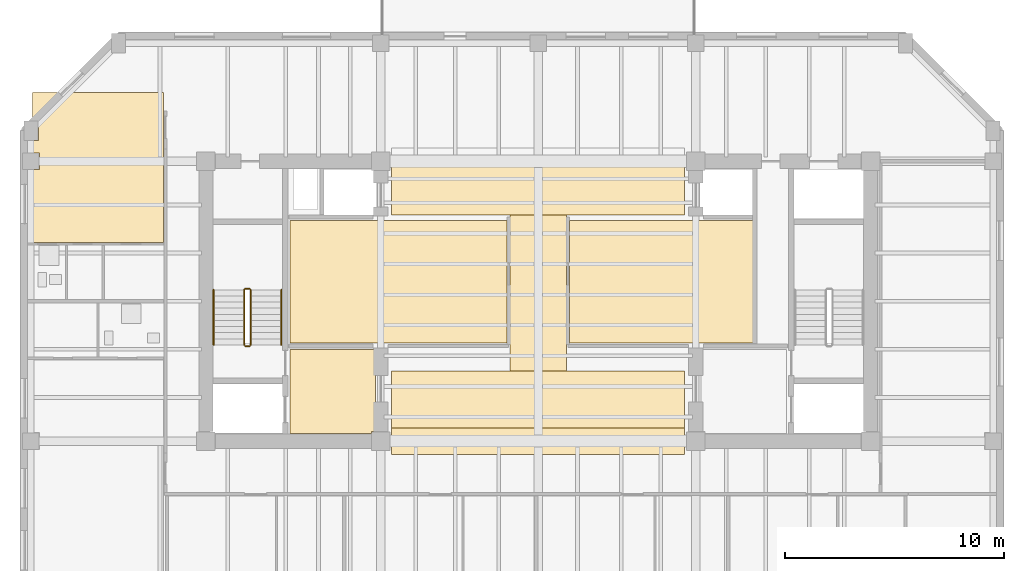
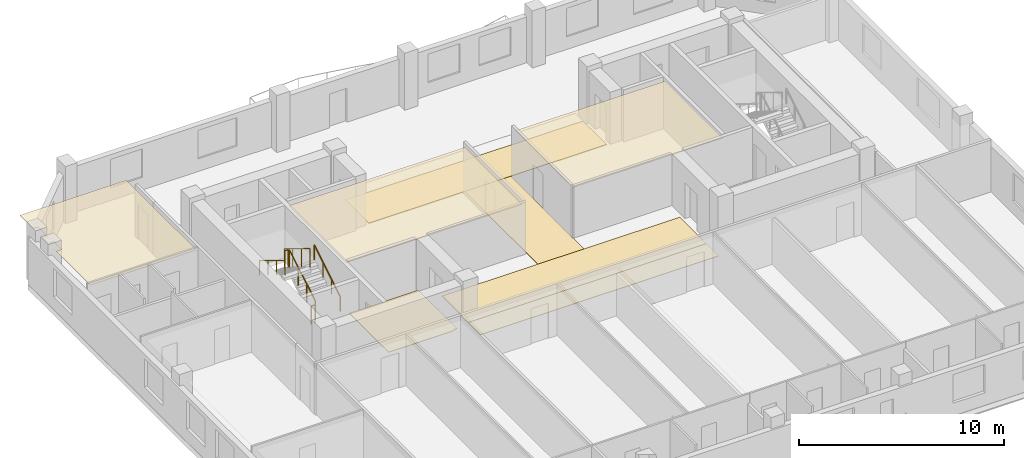
# One storey, part 8 of 11: 8 coverings, 6 railings.
"""IFC4 building model written with IfcOpenShell, lengths in metres."""

import ifcopenshell
import ifcopenshell.guid

model = None  # the IFC model being written
_history = None  # IfcOwnerHistory: only IFC2X3 demands one
_inside = {}  # id of a spatial element -> (the spatial element, [elements in it])
_under = {}  # id of a project, library or spatial element -> (it, [spatial elements below it])
_declared = {}  # id of a project -> (the project, [libraries it declares])
_typed = {}  # id of a type object -> (the type object, [elements of that type])
_made_of = {}  # id of a material, layer set ... -> (it, [elements and type objects made of it])


def new_model(schema):
    """Start an empty IFC model of exactly this schema.

    Asked for "IFC4X3", IfcOpenShell would pick the latest addendum, in which some entities
    have other attributes; the version numbers below select the first issue.
    IFC2X3 requires an IfcOwnerHistory on every rooted entity: one is made here for all.
    """
    global model, _history
    if schema == "IFC4X3":
        model = ifcopenshell.file(schema_version=(4, 3, 0, 0))
    else:
        model = ifcopenshell.file(schema=schema)
    _inside.clear()
    _under.clear()
    _declared.clear()
    _typed.clear()
    _made_of.clear()
    _history = None
    if model.schema == "IFC2X3":
        org = make("IfcOrganization", Name="unknown")
        user = make(
            "IfcPersonAndOrganization",
            ThePerson=make("IfcPerson", FamilyName="unknown"),
            TheOrganization=org,
        )
        app = make(
            "IfcApplication",
            ApplicationDeveloper=org,
            Version="unknown",
            ApplicationFullName="unknown",
            ApplicationIdentifier="unknown",
        )
        _history = make(
            "IfcOwnerHistory",
            OwningUser=user,
            OwningApplication=app,
            ChangeAction="ADDED",
            CreationDate=0,
        )
    return model


def make(cls, **values):
    """One entity of the class cls with the attributes given. An attribute that is None is left unset."""
    return model.create_entity(
        cls, **{name: value for name, value in values.items() if value is not None}
    )


def rooted(cls, **values):
    """An entity with a GlobalId (a new one), such as an element, a storey or a relation."""
    return make(cls, GlobalId=ifcopenshell.guid.new(), OwnerHistory=_history, **values)


def si_unit(unit_type, name, prefix=None):
    """IfcSIUnit, for example si_unit("LENGTHUNIT", "METRE", prefix="MILLI")."""
    return make("IfcSIUnit", UnitType=unit_type, Prefix=prefix, Name=name)


def assignment(units):
    """IfcUnitAssignment: the units of a project."""
    return None if units is None else make("IfcUnitAssignment", Units=units)


def point(xyz):
    """IfcCartesianPoint."""
    return None if xyz is None else make("IfcCartesianPoint", Coordinates=xyz)


def direction(xyz):
    """IfcDirection."""
    return None if xyz is None else make("IfcDirection", DirectionRatios=xyz)


def frame(location, z_axis=None, x_axis=None):
    """IfcAxis2Placement3D, a coordinate frame: its origin and axes. An axis left out is left unset."""
    return make(
        "IfcAxis2Placement3D",
        Location=point(location),
        Axis=direction(z_axis),
        RefDirection=direction(x_axis),
    )


def frame_2d(location, x_axis=None):
    """IfcAxis2Placement2D, a coordinate frame in the plane: its origin and x axis."""
    return make(
        "IfcAxis2Placement2D", Location=point(location), RefDirection=direction(x_axis)
    )


def origin():
    """The frame at (0, 0, 0) with its axes left unset."""
    return frame((0.0, 0.0, 0.0))


def origin_2d():
    """The frame at (0, 0) in the plane with its x axis left unset."""
    return frame_2d((0.0, 0.0))


def place(relative_to, where):
    """IfcLocalPlacement: puts the frame where relative to a parent placement (None: the world)."""
    return make(
        "IfcLocalPlacement", PlacementRelTo=relative_to, RelativePlacement=where
    )


def context(
    kind, dimensions, precision=None, world=None, true_north=None, identifier=None
):
    """IfcGeometricRepresentationContext, for example the 3D "Model" context."""
    return make(
        "IfcGeometricRepresentationContext",
        ContextIdentifier=identifier,
        ContextType=kind,
        CoordinateSpaceDimension=dimensions,
        Precision=precision,
        WorldCoordinateSystem=world,
        TrueNorth=true_north,
    )


def subcontext(parent, identifier, kind, view, scale=None):
    """IfcGeometricRepresentationSubContext, for example "Body" below "Model"."""
    return make(
        "IfcGeometricRepresentationSubContext",
        ContextIdentifier=identifier,
        ContextType=kind,
        ParentContext=parent,
        TargetScale=scale,
        TargetView=view,
    )


def project(units=None, contexts=None):
    """IfcProject with its units and contexts."""
    return rooted(
        "IfcProject",
        Name="project",
        RepresentationContexts=contexts,
        UnitsInContext=assignment(units),
    )


def spatial(cls, under=None, at=None, **own):
    """A site, building, storey or space (cls), placed at a placement, below another one or the project."""
    s = rooted(cls, ObjectPlacement=at, **own)
    if under is not None:
        _under.setdefault(under.id(), (under, []))[1].append(s)
    return s


def polyline(points):
    """IfcPolyline through the points."""
    return make("IfcPolyline", Points=[point(p) for p in points])


def profile(cls, at=None, kind="AREA", **sizes):
    """A parametric profile (cls). Its sizes go by their IFC names, for example OverallWidth=200.0."""
    return make(cls, ProfileType=kind, Position=at, **sizes)


def circle(**sizes):
    """IfcCircleProfileDef."""
    return profile("IfcCircleProfileDef", **sizes)


def outline(outer, holes=None, kind="AREA"):
    """IfcArbitraryClosedProfileDef: a profile drawn as a closed curve; with holes, ...WithVoids."""
    if holes is None:
        return make("IfcArbitraryClosedProfileDef", ProfileType=kind, OuterCurve=outer)
    return make(
        "IfcArbitraryProfileDefWithVoids",
        ProfileType=kind,
        OuterCurve=outer,
        InnerCurves=holes,
    )


def extrude(swept, where, along, depth):
    """IfcExtrudedAreaSolid: the profile swept, set in the frame where, extruded along a direction by depth."""
    return make(
        "IfcExtrudedAreaSolid",
        SweptArea=swept,
        Position=where,
        ExtrudedDirection=direction(along),
        Depth=depth,
    )


def shape(context_of_items, identifier, shape_type, items):
    """IfcShapeRepresentation: the items that make up one representation, for example the "Body"."""
    return make(
        "IfcShapeRepresentation",
        ContextOfItems=context_of_items,
        RepresentationIdentifier=identifier,
        RepresentationType=shape_type,
        Items=items,
    )


def material(Name=None, Category=None):
    """IfcMaterial."""
    return make("IfcMaterial", Name=Name, Category=Category)


def layer(
    of_material, thickness, ventilated=None, Name=None, Category=None, Priority=None
):
    """IfcMaterialLayer: one layer of a wall or slab, of a material (None: an air gap)."""
    return make(
        "IfcMaterialLayer",
        Material=of_material,
        LayerThickness=thickness,
        IsVentilated=ventilated,
        Name=Name,
        Category=Category,
        Priority=Priority,
    )


def layer_set(layers, Name=None):
    """IfcMaterialLayerSet."""
    return make("IfcMaterialLayerSet", MaterialLayers=layers, LayerSetName=Name)


def made_of(thing, what):
    """Note that an element or type object is made of a material, layer set ...; save() writes the relation."""
    if what is not None:
        _made_of.setdefault(what.id(), (what, []))[1].append(thing)
    return thing


def type_object(cls, material=None, **own):
    """A type object (cls), such as IfcWallType, which elements share."""
    return made_of(rooted(cls, **own), material)


def element(
    cls,
    number,
    at=None,
    inside=None,
    cuts=None,
    type_object=None,
    material=None,
    context=None,
    identifier="Body",
    shape_type=None,
    held_by="IfcProductDefinitionShape",
    body=None,
    shapes=None,
    **own,
):
    """One element of the class cls, such as IfcWall. Its Tag is "e" and its number.

    at: its placement. inside: the storey or other place that contains it. cuts: it is an
    opening in that element (IfcRelVoidsElement). A single representation is given by context,
    identifier, shape_type and body (its items); several are given by shapes. held_by: the class
    of the entity that holds the representations. save() writes the other relations.
    """
    e = rooted(cls, Tag="e%d" % number, ObjectPlacement=at, **own)
    if body is not None:
        shapes = [shape(context, identifier, shape_type, body)]
    if shapes is not None:
        e.Representation = make(held_by, Representations=shapes)
    if inside is not None:
        _inside.setdefault(inside.id(), (inside, []))[1].append(e)
    if cuts is not None:
        rooted(
            "IfcRelVoidsElement", RelatingBuildingElement=cuts, RelatedOpeningElement=e
        )
    if type_object is not None:
        _typed.setdefault(type_object.id(), (type_object, []))[1].append(e)
    return made_of(e, material)


def aggregate(whole, parts):
    """IfcRelAggregates: a whole, such as a stair, and the parts it consists of."""
    return rooted("IfcRelAggregates", RelatingObject=whole, RelatedObjects=parts)


def save(model, path):
    """Write the relations noted so far, then the file.

    IfcRelAggregates (storeys below a building ...), IfcRelContainedInSpatialStructure (elements
    in a storey), IfcRelDefinesByType, IfcRelAssociatesMaterial and IfcRelDeclares: one each for
    every whole, place, type object, material and project.
    """
    for whole, parts in _under.values():
        aggregate(whole, parts)
    for where, things in _inside.values():
        rooted(
            "IfcRelContainedInSpatialStructure",
            RelatedElements=things,
            RelatingStructure=where,
        )
    for kind, things in _typed.values():
        rooted("IfcRelDefinesByType", RelatedObjects=things, RelatingType=kind)
    for what, things in _made_of.values():
        rooted("IfcRelAssociatesMaterial", RelatedObjects=things, RelatingMaterial=what)
    for by, libraries in _declared.values():
        rooted("IfcRelDeclares", RelatingContext=by, RelatedDefinitions=libraries)
    model.write(path)


model = new_model("IFC4")

# Units and contexts
model_context = context("Model", 3, precision=1e-05, world=origin(), true_north=direction((0.0, 1.0)))
body_context = subcontext(model_context, "Body", "Model", "MODEL_VIEW")
ifc_project = project(units=[si_unit("LENGTHUNIT", "METRE"), si_unit("AREAUNIT", "SQUARE_METRE"), si_unit("VOLUMEUNIT", "CUBIC_METRE"), si_unit("PLANEANGLEUNIT", "RADIAN"), si_unit("MASSUNIT", "GRAM", prefix="KILO")], contexts=[model_context])

# Site, building, storey
site_placement = place(None, origin())
site = spatial("IfcSite", under=ifc_project, at=site_placement, CompositionType="ELEMENT")
building_placement = place(site_placement, origin())
building = spatial("IfcBuilding", under=site, at=building_placement, Name="Kranthara Brick Stack", CompositionType="ELEMENT")
storey_placement = place(building_placement, frame((0.0, 0.0, 217.699951171875)))
storey = spatial("IfcBuildingStorey", under=building, at=storey_placement, Name="L56", CompositionType="ELEMENT", Elevation=217.699951171875)

# Coverings
ifc_material_1 = material(Name="Perforated mineral-fibre acoustic ceiling tile", Category="other")
ifc_layer_1 = layer(ifc_material_1, 0.02490234375)
ifc_layer_set_1 = layer_set([ifc_layer_1], Name="Perforated mineral-fibre acoustic ceiling tile")
covering_type_1 = type_object("IfcCoveringType", Name="COV-CEIL-ACOUSTIC", PredefinedType="CEILING", material=ifc_layer_set_1)
covering_1_placement = place(storey_placement, frame((0.0, 0.0, 2.830078125)))
element("IfcCovering", 1, at=covering_1_placement, inside=storey, type_object=covering_type_1, Name="L56 L56 Sky Club Library and Study Acoustic Ceiling", PredefinedType="CEILING", context=body_context, shape_type="SweptSolid", body=[
    extrude(outline(polyline([(26.570068359375, 25.300048828125), (26.570068359375, 30.89990234375), (16.64990234375, 30.89990234375), (16.64990234375, 25.300048828125), (26.570068359375, 25.300048828125)])), origin(), (0.0, 0.0, 1.0), 0.02490234375),
])
covering_2_placement = place(storey_placement, frame((0.0, 0.0, 2.830078125)))
element("IfcCovering", 2, at=covering_2_placement, inside=storey, type_object=covering_type_1, Name="L56 L56 Sky Club Lounge and Salon Acoustic Ceiling", PredefinedType="CEILING", context=body_context, shape_type="SweptSolid", body=[
    extrude(outline(polyline([(37.8798828125, 25.300048828125), (37.8798828125, 30.89990234375), (29.429931640625, 30.89990234375), (29.429931640625, 25.300048828125), (37.8798828125, 25.300048828125)])), origin(), (0.0, 0.0, 1.0), 0.02490234375),
])
covering_3_placement = place(storey_placement, frame((0.0, 0.0, 2.830078125)))
element("IfcCovering", 3, at=covering_3_placement, inside=storey, type_object=covering_type_1, Name="L56 Unit L56F 1-Bed Apartment Living Dining Acoustic Ceiling", PredefinedType="CEILING", context=body_context, shape_type="SweptSolid", body=[
    extrude(outline(polyline([(10.860107421875, 36.75), (10.860107421875, 29.889892578125), (4.8701171875, 29.889892578125), (4.8701171875, 33.215087890625), (5.18505859375, 33.215087890625), (5.18505859375, 33.985107421875), (4.8701171875, 33.985107421875), (4.8701171875, 34.5400390625), (5.135009765625, 34.5400390625), (5.135009765625, 35.4599609375), (4.8701171875, 35.4599609375), (4.8701171875, 36.75), (10.860107421875, 36.75)])), origin(), (0.0, 0.0, 1.0), 0.02490234375),
])
ifc_material_2 = material(Name="Honed terrazzo and porcelain floor finish", Category="stone")
ifc_layer_2 = layer(ifc_material_2, 0.030029296875)
ifc_layer_set_2 = layer_set([ifc_layer_2], Name="Honed terrazzo and porcelain floor finish")
covering_type_2 = type_object("IfcCoveringType", Name="COV-FLOR-STONE", PredefinedType="FLOORING", material=ifc_layer_set_2)
covering_4_placement = place(storey_placement, origin())
element("IfcCovering", 4, at=covering_4_placement, inside=storey, type_object=covering_type_2, Name="L56 Lift Lobby Stone Flooring", PredefinedType="FLOORING", context=body_context, shape_type="SweptSolid", body=[
    extrude(outline(polyline([(16.64990234375, 21.14990234375), (16.64990234375, 25.0), (20.550048828125, 25.0), (20.550048828125, 21.235107421875), (20.364990234375, 21.235107421875), (20.364990234375, 21.14990234375), (16.64990234375, 21.14990234375)])), origin(), (0.0, 0.0, 1.0), 0.030029296875),
])
covering_5_placement = place(storey_placement, origin())
element("IfcCovering", 5, at=covering_5_placement, inside=storey, type_object=covering_type_2, Name="L56 Lift Lobby Stone Flooring", PredefinedType="FLOORING", context=body_context, shape_type="SweptSolid", body=[
    extrude(outline(polyline([(34.699951171875, 21.39990234375), (34.699951171875, 24.0), (21.300048828125, 24.0), (21.300048828125, 21.39990234375), (34.699951171875, 21.39990234375)])), origin(), (0.0, 0.0, 1.0), 0.030029296875),
])
covering_6_placement = place(storey_placement, origin())
element("IfcCovering", 6, at=covering_6_placement, inside=storey, type_object=covering_type_2, Name="L56 Lift Lobby Stone Flooring", PredefinedType="FLOORING", context=body_context, shape_type="SweptSolid", body=[
    extrude(outline(polyline([(34.699951171875, 31.14990234375), (34.699951171875, 33.449951171875), (21.300048828125, 33.449951171875), (21.300048828125, 31.14990234375), (34.699951171875, 31.14990234375)])), origin(), (0.0, 0.0, 1.0), 0.030029296875),
])
covering_7_placement = place(storey_placement, origin())
element("IfcCovering", 7, at=covering_7_placement, inside=storey, type_object=covering_type_2, Name="L56 Lift Lobby Stone Flooring", PredefinedType="FLOORING", context=body_context, shape_type="SweptSolid", body=[
    extrude(outline(polyline([(29.300048828125, 24.0), (26.699951171875, 24.0), (26.699951171875, 31.14990234375), (29.300048828125, 31.14990234375), (29.300048828125, 24.0)])), origin(), (0.0, 0.0, 1.0), 0.030029296875),
])
covering_8_placement = place(storey_placement, origin())
element("IfcCovering", 8, at=covering_8_placement, inside=storey, type_object=covering_type_2, Name="L56 Lift Lobby Stone Flooring", PredefinedType="FLOORING", context=body_context, shape_type="SweptSolid", body=[
    extrude(outline(polyline([(34.699951171875, 20.199951171875), (21.300048828125, 20.199951171875), (21.300048828125, 21.39990234375), (34.699951171875, 21.39990234375), (34.699951171875, 20.199951171875)])), origin(), (0.0, 0.0, 1.0), 0.030029296875),
])

# Railings
ifc_material_3 = material(Name="Painted galvanized steel stair guardrail", Category="steel")
railing_type_1 = type_object("IfcRailingType", Name="RL-STAIR-GUARD-1100", PredefinedType="GUARDRAIL", material=ifc_material_3)
railing_1_placement = place(storey_placement, frame((14.85009765625, 25.199951171875, 0.170166015625)))
element("IfcRailing", 9, at=railing_1_placement, inside=storey, type_object=railing_type_1, Name="L56 ST01 stair guard 1", PredefinedType="GUARDRAIL", context=body_context, shape_type="SweptSolid", body=[
    extrude(circle(Radius=0.02392578125, at=origin_2d()), frame((0.0, 0.0, 1.076171875), z_axis=(0.0, 0.854821627497, 0.518921945155), x_axis=(-1.0, 0.0, 0.0)), (0.0, 0.0, 1.0), 2.947998046875),
    extrude(circle(Radius=0.02099609375, at=origin_2d()), origin(), (0.0, 0.0, 1.0), 1.052001953125),
    extrude(circle(Radius=0.02099609375, at=origin_2d()), frame((0.0, 0.840087890625, 0.510009765625)), (0.0, 0.0, 1.0), 1.052001953125),
    extrude(circle(Radius=0.02099609375, at=origin_2d()), frame((0.0, 1.679931640625, 1.019775390625)), (0.0, 0.0, 1.0), 1.052001953125),
    extrude(circle(Radius=0.02099609375, at=origin_2d()), frame((0.0, 2.52001953125, 1.52978515625)), (0.0, 0.0, 1.0), 1.052001953125),
])
railing_2_placement = place(storey_placement, frame((14.800048828125, 27.77001953125, 1.699951171875)))
element("IfcRailing", 10, at=railing_2_placement, inside=storey, type_object=railing_type_1, Name="L56 ST01 stair guard 2", PredefinedType="GUARDRAIL", context=body_context, shape_type="SweptSolid", body=[
    extrude(circle(Radius=0.02392578125, at=origin_2d()), frame((0.0, 0.0, 1.076171875), z_axis=(-1.0, 0.0, 0.0), x_axis=(0.0, -1.0, 0.0)), (0.0, 0.0, 1.0), 0.199951171875),
    extrude(circle(Radius=0.02099609375, at=origin_2d()), origin(), (0.0, 0.0, 1.0), 1.052001953125),
    extrude(circle(Radius=0.02099609375, at=origin_2d()), frame((-0.199951171875, 0.0, 0.0)), (0.0, 0.0, 1.0), 1.052001953125),
])
railing_3_placement = place(storey_placement, frame((14.550048828125, 27.719970703125, 1.8701171875)))
element("IfcRailing", 11, at=railing_3_placement, inside=storey, type_object=railing_type_1, Name="L56 ST01 stair guard 3", PredefinedType="GUARDRAIL", context=body_context, shape_type="SweptSolid", body=[
    extrude(circle(Radius=0.02392578125, at=origin_2d()), frame((0.0, 0.0, 1.076171875), z_axis=(0.0, -0.85478489116, 0.518982456201), x_axis=(1.0, 0.0, 0.0)), (0.0, 0.0, 1.0), 2.9482421875),
    extrude(circle(Radius=0.02099609375, at=origin_2d()), origin(), (0.0, 0.0, 1.0), 1.052001953125),
    extrude(circle(Radius=0.02099609375, at=origin_2d()), frame((0.0, -0.840087890625, 0.510009765625)), (0.0, 0.0, 1.0), 1.052001953125),
    extrude(circle(Radius=0.02099609375, at=origin_2d()), frame((0.0, -1.679931640625, 1.02001953125)), (0.0, 0.0, 1.0), 1.052001953125),
    extrude(circle(Radius=0.02099609375, at=origin_2d()), frame((0.0, -2.52001953125, 1.530029296875)), (0.0, 0.0, 1.0), 1.052001953125),
])
railing_4_placement = place(storey_placement, frame((14.800048828125, 25.14990234375, 0.0)))
element("IfcRailing", 12, at=railing_4_placement, inside=storey, type_object=railing_type_1, Name="L56 ST01 stair guard 4", PredefinedType="GUARDRAIL", context=body_context, shape_type="SweptSolid", body=[
    extrude(circle(Radius=0.02392578125, at=origin_2d()), frame((0.0, 0.0, 1.076171875), z_axis=(-1.0, 0.0, 0.0), x_axis=(0.0, -1.0, 0.0)), (0.0, 0.0, 1.0), 0.199951171875),
    extrude(circle(Radius=0.02099609375, at=origin_2d()), origin(), (0.0, 0.0, 1.0), 1.052001953125),
    extrude(circle(Radius=0.02099609375, at=origin_2d()), frame((-0.199951171875, 0.0, 0.0)), (0.0, 0.0, 1.0), 1.052001953125),
])
ifc_material_4 = material(Name="Brushed stainless steel tubular handrail", Category="steel")
railing_type_2 = type_object("IfcRailingType", Name="RL-STAIR-HAND-900", PredefinedType="HANDRAIL", material=ifc_material_4)
railing_5_placement = place(storey_placement, frame((16.25, 25.199951171875, 0.170166015625)))
element("IfcRailing", 13, at=railing_5_placement, inside=storey, type_object=railing_type_2, Name="L56 ST01 stair handrail 1", PredefinedType="HANDRAIL", context=body_context, shape_type="SweptSolid", body=[
    extrude(circle(Radius=0.02392578125, at=origin_2d()), frame((0.0, 0.0, 0.8759765625), z_axis=(0.0, 0.854821627497, 0.518921945155), x_axis=(-1.0, 0.0, 0.0)), (0.0, 0.0, 1.0), 2.947998046875),
    extrude(circle(Radius=0.02099609375, at=origin_2d()), origin(), (0.0, 0.0, 1.0), 0.851806640625),
    extrude(circle(Radius=0.02099609375, at=origin_2d()), frame((0.0, 0.840087890625, 0.510009765625)), (0.0, 0.0, 1.0), 0.851806640625),
    extrude(circle(Radius=0.02099609375, at=origin_2d()), frame((0.0, 1.679931640625, 1.019775390625)), (0.0, 0.0, 1.0), 0.851806640625),
    extrude(circle(Radius=0.02099609375, at=origin_2d()), frame((0.0, 2.52001953125, 1.52978515625)), (0.0, 0.0, 1.0), 0.851806640625),
])
railing_6_placement = place(storey_placement, frame((13.14990234375, 27.719970703125, 1.8701171875)))
element("IfcRailing", 14, at=railing_6_placement, inside=storey, type_object=railing_type_2, Name="L56 ST01 stair handrail 2", PredefinedType="HANDRAIL", context=body_context, shape_type="SweptSolid", body=[
    extrude(circle(Radius=0.02392578125, at=origin_2d()), frame((0.0, 0.0, 0.8759765625), z_axis=(0.0, -0.85478489116, 0.518982456201), x_axis=(1.0, 0.0, 0.0)), (0.0, 0.0, 1.0), 2.9482421875),
    extrude(circle(Radius=0.02099609375, at=origin_2d()), origin(), (0.0, 0.0, 1.0), 0.851806640625),
    extrude(circle(Radius=0.02099609375, at=origin_2d()), frame((0.0, -0.840087890625, 0.510009765625)), (0.0, 0.0, 1.0), 0.851806640625),
    extrude(circle(Radius=0.02099609375, at=origin_2d()), frame((0.0, -1.679931640625, 1.02001953125)), (0.0, 0.0, 1.0), 0.851806640625),
    extrude(circle(Radius=0.02099609375, at=origin_2d()), frame((0.0, -2.52001953125, 1.530029296875)), (0.0, 0.0, 1.0), 0.851806640625),
])

save(model, "model.ifc")
